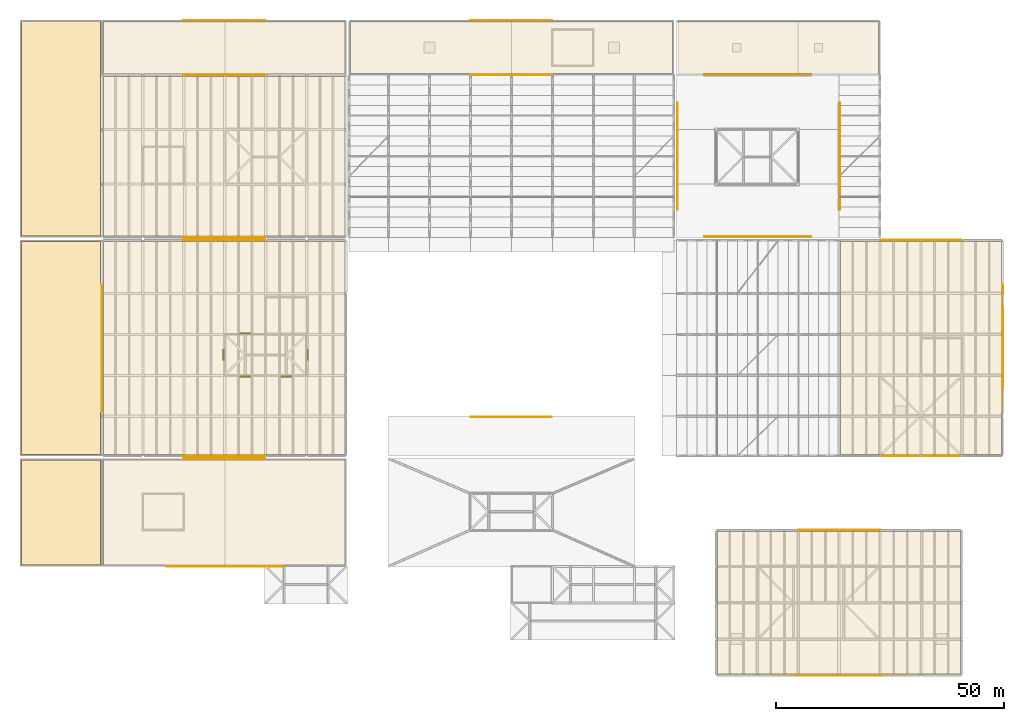
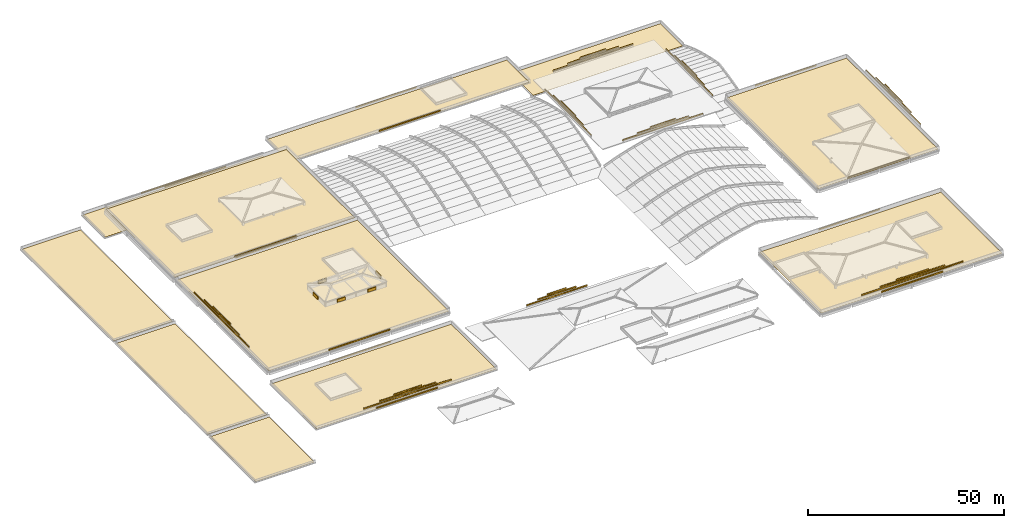
# One storey, part 56 of 56: 51 coverings, 5 shading devices.
"""IFC4 building model written with IfcOpenShell, lengths in metres."""

from ifc_helpers import new_model, si_unit, direction, frame, origin, origin_2d, place, context, subcontext, project, spatial, polyline, rectangle, outline, extrude, material, layer, layer_set, type_object, element, save


model = new_model("IFC4")

# Units and contexts
model_context = context("Model", 3, precision=1e-05, world=origin(), true_north=direction((0.0, 1.0)))
body_context = subcontext(model_context, "Body", "Model", "MODEL_VIEW")
ifc_project = project(units=[si_unit("LENGTHUNIT", "METRE"), si_unit("AREAUNIT", "SQUARE_METRE"), si_unit("VOLUMEUNIT", "CUBIC_METRE"), si_unit("PLANEANGLEUNIT", "RADIAN"), si_unit("MASSUNIT", "GRAM", prefix="KILO")], contexts=[model_context])

# Site, building, storey
site_placement = place(None, origin())
site = spatial("IfcSite", under=ifc_project, at=site_placement, CompositionType="ELEMENT")
building_placement = place(site_placement, origin())
building = spatial("IfcBuilding", under=site, at=building_placement, Name="Zacnel Wholesale Market", CompositionType="ELEMENT")
storey_placement = place(building_placement, frame((0.0, 0.0, 20.300048828125)))
storey = spatial("IfcBuildingStorey", under=building, at=storey_placement, Name="RF", CompositionType="ELEMENT", Elevation=20.300048828125)

# Coverings
ifc_material_1 = material(Name="Honed Yucatan Maya cream limestone", Category="masonry")
ifc_layer_1 = layer(ifc_material_1, 0.090087890625)
ifc_layer_set_1 = layer_set([ifc_layer_1], Name="Honed Yucatan Maya cream limestone")
covering_type_1 = type_object("IfcCoveringType", Name="COV-CLAD-FRET", PredefinedType="CLADDING", material=ifc_layer_set_1)
covering_1_placement = place(storey_placement, frame((108.0, 56.8349609375, -12.990234375), z_axis=(0.0, 0.0, 1.0), x_axis=(1.0, 0.0, 0.0)))
element("IfcCovering", 1, at=covering_1_placement, inside=storey, type_object=covering_type_1, Name="Mayan greca stone relief ENV-V2PORT-1", PredefinedType="CLADDING", context=body_context, shape_type="SweptSolid", body=[
    extrude(rectangle(XDim=17.800048828125, YDim=0.090087890625, at=origin_2d()), origin(), (0.0, 0.0, 1.0), 0.320068359375),
])
covering_2_placement = place(storey_placement, frame((108.0, 56.8349609375, -12.2900390625), z_axis=(0.0, 0.0, 1.0), x_axis=(1.0, 0.0, 0.0)))
element("IfcCovering", 2, at=covering_2_placement, inside=storey, type_object=covering_type_1, Name="Mayan greca stone relief ENV-V2PORT-2", PredefinedType="CLADDING", context=body_context, shape_type="SweptSolid", body=[
    extrude(rectangle(XDim=11.320068359375, YDim=0.090087890625, at=origin_2d()), origin(), (0.0, 0.0, 1.0), 0.320068359375),
])
covering_3_placement = place(storey_placement, frame((108.0, 56.8349609375, -11.740234375), z_axis=(0.0, 0.0, 1.0), x_axis=(1.0, 0.0, 0.0)))
element("IfcCovering", 3, at=covering_3_placement, inside=storey, type_object=covering_type_1, Name="Mayan greca stone relief ENV-V2PORT-3", PredefinedType="CLADDING", context=body_context, shape_type="SweptSolid", body=[
    extrude(rectangle(XDim=5.56005859375, YDim=0.090087890625, at=origin_2d()), origin(), (0.0, 0.0, 1.0), 0.320068359375),
])
covering_4_placement = place(storey_placement, frame((162.14990234375, 96.465087890625, -3.490234375), z_axis=(0.0, 0.0, 1.0), x_axis=(1.0, 0.0, 0.0)))
element("IfcCovering", 4, at=covering_4_placement, inside=storey, type_object=covering_type_1, Name="Mayan greca stone relief ENV-XDRUM-CRN-S-1", PredefinedType="CLADDING", context=body_context, shape_type="SweptSolid", body=[
    extrude(rectangle(XDim=23.5, YDim=0.090087890625, at=origin_2d()), origin(), (0.0, 0.0, 1.0), 0.320068359375),
])
covering_5_placement = place(storey_placement, frame((162.14990234375, 96.465087890625, -2.83984375), z_axis=(0.0, 0.0, 1.0), x_axis=(1.0, 0.0, 0.0)))
element("IfcCovering", 5, at=covering_5_placement, inside=storey, type_object=covering_type_1, Name="Mayan greca stone relief ENV-XDRUM-CRN-S-2", PredefinedType="CLADDING", context=body_context, shape_type="SweptSolid", body=[
    extrude(rectangle(XDim=14.968017578125, YDim=0.090087890625, at=origin_2d()), origin(), (0.0, 0.0, 1.0), 0.320068359375),
])
covering_6_placement = place(storey_placement, frame((162.14990234375, 96.465087890625, -2.2900390625), z_axis=(0.0, 0.0, 1.0), x_axis=(1.0, 0.0, 0.0)))
element("IfcCovering", 6, at=covering_6_placement, inside=storey, type_object=covering_type_1, Name="Mayan greca stone relief ENV-XDRUM-CRN-S-3", PredefinedType="CLADDING", context=body_context, shape_type="SweptSolid", body=[
    extrude(rectangle(XDim=7.384033203125, YDim=0.090087890625, at=origin_2d()), origin(), (0.0, 0.0, 1.0), 0.320068359375),
])
covering_7_placement = place(storey_placement, frame((162.14990234375, 132.1650390625, -3.490234375), z_axis=(0.0, 0.0, 1.0), x_axis=(1.0, 0.0, 0.0)))
element("IfcCovering", 7, at=covering_7_placement, inside=storey, type_object=covering_type_1, Name="Mayan greca stone relief ENV-XDRUM-CRN-N-1", PredefinedType="CLADDING", context=body_context, shape_type="SweptSolid", body=[
    extrude(rectangle(XDim=23.5, YDim=0.090087890625, at=origin_2d()), origin(), (0.0, 0.0, 1.0), 0.320068359375),
])
covering_8_placement = place(storey_placement, frame((162.14990234375, 132.1650390625, -2.83984375), z_axis=(0.0, 0.0, 1.0), x_axis=(1.0, 0.0, 0.0)))
element("IfcCovering", 8, at=covering_8_placement, inside=storey, type_object=covering_type_1, Name="Mayan greca stone relief ENV-XDRUM-CRN-N-2", PredefinedType="CLADDING", context=body_context, shape_type="SweptSolid", body=[
    extrude(rectangle(XDim=14.968017578125, YDim=0.090087890625, at=origin_2d()), origin(), (0.0, 0.0, 1.0), 0.320068359375),
])
covering_9_placement = place(storey_placement, frame((162.14990234375, 132.1650390625, -2.2900390625), z_axis=(0.0, 0.0, 1.0), x_axis=(1.0, 0.0, 0.0)))
element("IfcCovering", 9, at=covering_9_placement, inside=storey, type_object=covering_type_1, Name="Mayan greca stone relief ENV-XDRUM-CRN-N-3", PredefinedType="CLADDING", context=body_context, shape_type="SweptSolid", body=[
    extrude(rectangle(XDim=7.384033203125, YDim=0.090087890625, at=origin_2d()), origin(), (0.0, 0.0, 1.0), 0.320068359375),
])
covering_10_placement = place(storey_placement, frame((144.465087890625, 114.14990234375, -3.490234375), z_axis=(0.0, 0.0, 1.0), x_axis=(0.0, 1.0, 0.0)))
element("IfcCovering", 10, at=covering_10_placement, inside=storey, type_object=covering_type_1, Name="Mayan greca stone relief ENV-XDRUM-CRN-W-1", PredefinedType="CLADDING", context=body_context, shape_type="SweptSolid", body=[
    extrude(rectangle(XDim=23.5, YDim=0.090087890625, at=origin_2d()), origin(), (0.0, 0.0, 1.0), 0.320068359375),
])
covering_11_placement = place(storey_placement, frame((144.465087890625, 114.14990234375, -2.83984375), z_axis=(0.0, 0.0, 1.0), x_axis=(0.0, 1.0, 0.0)))
element("IfcCovering", 11, at=covering_11_placement, inside=storey, type_object=covering_type_1, Name="Mayan greca stone relief ENV-XDRUM-CRN-W-2", PredefinedType="CLADDING", context=body_context, shape_type="SweptSolid", body=[
    extrude(rectangle(XDim=14.968017578125, YDim=0.090087890625, at=origin_2d()), origin(), (0.0, 0.0, 1.0), 0.320068359375),
])
covering_12_placement = place(storey_placement, frame((144.465087890625, 114.14990234375, -2.2900390625), z_axis=(0.0, 0.0, 1.0), x_axis=(0.0, 1.0, 0.0)))
element("IfcCovering", 12, at=covering_12_placement, inside=storey, type_object=covering_type_1, Name="Mayan greca stone relief ENV-XDRUM-CRN-W-3", PredefinedType="CLADDING", context=body_context, shape_type="SweptSolid", body=[
    extrude(rectangle(XDim=7.384033203125, YDim=0.090087890625, at=origin_2d()), origin(), (0.0, 0.0, 1.0), 0.320068359375),
])
covering_13_placement = place(storey_placement, frame((180.1650390625, 114.14990234375, -3.490234375), z_axis=(0.0, 0.0, 1.0), x_axis=(0.0, 1.0, 0.0)))
element("IfcCovering", 13, at=covering_13_placement, inside=storey, type_object=covering_type_1, Name="Mayan greca stone relief ENV-XDRUM-CRN-E-1", PredefinedType="CLADDING", context=body_context, shape_type="SweptSolid", body=[
    extrude(rectangle(XDim=23.5, YDim=0.090087890625, at=origin_2d()), origin(), (0.0, 0.0, 1.0), 0.320068359375),
])
covering_14_placement = place(storey_placement, frame((180.1650390625, 114.14990234375, -2.83984375), z_axis=(0.0, 0.0, 1.0), x_axis=(0.0, 1.0, 0.0)))
element("IfcCovering", 14, at=covering_14_placement, inside=storey, type_object=covering_type_1, Name="Mayan greca stone relief ENV-XDRUM-CRN-E-2", PredefinedType="CLADDING", context=body_context, shape_type="SweptSolid", body=[
    extrude(rectangle(XDim=14.968017578125, YDim=0.090087890625, at=origin_2d()), origin(), (0.0, 0.0, 1.0), 0.320068359375),
])
covering_15_placement = place(storey_placement, frame((180.1650390625, 114.14990234375, -2.2900390625), z_axis=(0.0, 0.0, 1.0), x_axis=(0.0, 1.0, 0.0)))
element("IfcCovering", 15, at=covering_15_placement, inside=storey, type_object=covering_type_1, Name="Mayan greca stone relief ENV-XDRUM-CRN-E-3", PredefinedType="CLADDING", context=body_context, shape_type="SweptSolid", body=[
    extrude(rectangle(XDim=7.384033203125, YDim=0.090087890625, at=origin_2d()), origin(), (0.0, 0.0, 1.0), 0.320068359375),
])
for number, where, z_axis, x_axis, name in (
    (16, (44.85009765625, 144.034912109375, -8.802734375), (0.0, 0.0, 1.0), (1.0, 0.0, 0.0), "Carved Mayan limestone fretwork frieze 004-2"),
    (17, (44.85009765625, 23.965087890625, -2.99755859375), (0.0, 0.0, 1.0), (1.0, 0.0, 0.0), "Carved Mayan limestone fretwork frieze 005-1"),
    (18, (44.85009765625, 47.735107421875, -2.99755859375), (0.0, 0.0, 1.0), (1.0, 0.0, 0.0), "Carved Mayan limestone fretwork frieze 005-2"),
    (19, (44.85009765625, 48.264892578125, 0.40771484375), (0.0, 0.0, 1.0), (1.0, 0.0, 0.0), "Carved Mayan limestone fretwork frieze 006-1"),
    (20, (44.85009765625, 95.735107421875, 0.40771484375), (0.0, 0.0, 1.0), (1.0, 0.0, 0.0), "Carved Mayan limestone fretwork frieze 006-2"),
    (21, (44.85009765625, 96.264892578125, 0.40771484375), (0.0, 0.0, 1.0), (1.0, 0.0, 0.0), "Carved Mayan limestone fretwork frieze 007-1"),
    (22, (44.85009765625, 132.034912109375, 0.40771484375), (0.0, 0.0, 1.0), (1.0, 0.0, 0.0), "Carved Mayan limestone fretwork frieze 007-2"),
    (23, (180.0, -0.034912109375, 0.46240234375), (0.0, 0.0, 1.0), (1.0, 0.0, 0.0), "Carved Mayan limestone fretwork frieze 008-1"),
    (24, (180.0, 32.034912109375, 0.46240234375), (0.0, 0.0, 1.0), (1.0, 0.0, 0.0), "Carved Mayan limestone fretwork frieze 008-2"),
    (25, (108.0, 131.965087890625, -4.19775390625), (0.0, 0.0, 1.0), (1.0, 0.0, 0.0), "Carved Mayan limestone fretwork frieze 009-1"),
    (26, (108.0, 144.034912109375, -4.19775390625), (0.0, 0.0, 1.0), (1.0, 0.0, 0.0), "Carved Mayan limestone fretwork frieze 009-2"),
    (27, (198.0, 48.264892578125, 0.40771484375), (0.0, 0.0, 1.0), (1.0, 0.0, 0.0), "Carved Mayan limestone fretwork frieze 011-1"),
    (28, (198.0, 95.735107421875, 0.40771484375), (0.0, 0.0, 1.0), (1.0, 0.0, 0.0), "Carved Mayan limestone fretwork frieze 011-2"),
):
    element("IfcCovering", number, at=place(storey_placement, frame(where, z_axis=z_axis, x_axis=x_axis)), inside=storey, type_object=covering_type_1, Name=name, PredefinedType="CLADDING", context=body_context, shape_type="SweptSolid", body=[
        extrude(rectangle(XDim=18.0, YDim=0.090087890625, at=origin_2d()), origin(), (0.0, 0.0, 1.0), 0.449951171875),
    ])
covering_16_placement = place(storey_placement, frame((180.0, -0.0400390625, 1.6298828125), z_axis=(0.0, 0.0, 1.0), x_axis=(1.0, 0.0, 0.0)))
element("IfcCovering", 29, at=covering_16_placement, inside=storey, type_object=covering_type_1, Name="Mayan greca stone relief ENV-CRN-V5BLVD-1", PredefinedType="CLADDING", context=body_context, shape_type="SweptSolid", body=[
    extrude(rectangle(XDim=29.800048828125, YDim=0.090087890625, at=origin_2d()), origin(), (0.0, 0.0, 1.0), 0.320068359375),
])
covering_17_placement = place(storey_placement, frame((180.0, -0.0400390625, 2.25), z_axis=(0.0, 0.0, 1.0), x_axis=(1.0, 0.0, 0.0)))
element("IfcCovering", 30, at=covering_17_placement, inside=storey, type_object=covering_type_1, Name="Mayan greca stone relief ENV-CRN-V5BLVD-2", PredefinedType="CLADDING", context=body_context, shape_type="SweptSolid", body=[
    extrude(rectangle(XDim=19.0, YDim=0.090087890625, at=origin_2d()), origin(), (0.0, 0.0, 1.0), 0.320068359375),
])
covering_18_placement = place(storey_placement, frame((180.0, -0.0400390625, 2.75), z_axis=(0.0, 0.0, 1.0), x_axis=(1.0, 0.0, 0.0)))
element("IfcCovering", 31, at=covering_18_placement, inside=storey, type_object=covering_type_1, Name="Mayan greca stone relief ENV-CRN-V5BLVD-3", PredefinedType="CLADDING", context=body_context, shape_type="SweptSolid", body=[
    extrude(rectangle(XDim=9.39990234375, YDim=0.090087890625, at=origin_2d()), origin(), (0.0, 0.0, 1.0), 0.320068359375),
])
covering_19_placement = place(storey_placement, frame((216.0400390625, 72.0, 1.7099609375), z_axis=(0.0, 0.0, 1.0), x_axis=(0.0, 1.0, 0.0)))
element("IfcCovering", 32, at=covering_19_placement, inside=storey, type_object=covering_type_1, Name="Mayan greca stone relief ENV-CRN-V1EEAST-1", PredefinedType="CLADDING", context=body_context, shape_type="SweptSolid", body=[
    extrude(rectangle(XDim=27.800048828125, YDim=0.090087890625, at=origin_2d()), origin(), (0.0, 0.0, 1.0), 0.320068359375),
])
covering_20_placement = place(storey_placement, frame((216.0400390625, 72.0, 2.4599609375), z_axis=(0.0, 0.0, 1.0), x_axis=(0.0, 1.0, 0.0)))
element("IfcCovering", 33, at=covering_20_placement, inside=storey, type_object=covering_type_1, Name="Mayan greca stone relief ENV-CRN-V1EEAST-2", PredefinedType="CLADDING", context=body_context, shape_type="SweptSolid", body=[
    extrude(rectangle(XDim=17.719970703125, YDim=0.090087890625, at=origin_2d()), origin(), (0.0, 0.0, 1.0), 0.320068359375),
])
covering_21_placement = place(storey_placement, frame((216.0400390625, 72.0, 3.06005859375), z_axis=(0.0, 0.0, 1.0), x_axis=(0.0, 1.0, 0.0)))
element("IfcCovering", 34, at=covering_21_placement, inside=storey, type_object=covering_type_1, Name="Mayan greca stone relief ENV-CRN-V1EEAST-3", PredefinedType="CLADDING", context=body_context, shape_type="SweptSolid", body=[
    extrude(rectangle(XDim=8.760009765625, YDim=0.090087890625, at=origin_2d()), origin(), (0.0, 0.0, 1.0), 0.320068359375),
])
covering_22_placement = place(storey_placement, frame((45.0, 23.9599609375, -1.7900390625), z_axis=(0.0, 0.0, 1.0), x_axis=(1.0, 0.0, 0.0)))
element("IfcCovering", 35, at=covering_22_placement, inside=storey, type_object=covering_type_1, Name="Mayan greca stone relief ENV-CRN-V3SOUTH-1", PredefinedType="CLADDING", context=body_context, shape_type="SweptSolid", body=[
    extrude(rectangle(XDim=25.800048828125, YDim=0.090087890625, at=origin_2d()), origin(), (0.0, 0.0, 1.0), 0.320068359375),
])
covering_23_placement = place(storey_placement, frame((45.0, 23.9599609375, -1.08984375), z_axis=(0.0, 0.0, 1.0), x_axis=(1.0, 0.0, 0.0)))
element("IfcCovering", 36, at=covering_23_placement, inside=storey, type_object=covering_type_1, Name="Mayan greca stone relief ENV-CRN-V3SOUTH-2", PredefinedType="CLADDING", context=body_context, shape_type="SweptSolid", body=[
    extrude(rectangle(XDim=16.43994140625, YDim=0.090087890625, at=origin_2d()), origin(), (0.0, 0.0, 1.0), 0.320068359375),
])
covering_24_placement = place(storey_placement, frame((45.0, 23.9599609375, -0.5400390625), z_axis=(0.0, 0.0, 1.0), x_axis=(1.0, 0.0, 0.0)))
element("IfcCovering", 37, at=covering_24_placement, inside=storey, type_object=covering_type_1, Name="Mayan greca stone relief ENV-CRN-V3SOUTH-3", PredefinedType="CLADDING", context=body_context, shape_type="SweptSolid", body=[
    extrude(rectangle(XDim=8.1201171875, YDim=0.090087890625, at=origin_2d()), origin(), (0.0, 0.0, 1.0), 0.320068359375),
])
covering_25_placement = place(storey_placement, frame((17.9599609375, 72.0, 1.7099609375), z_axis=(0.0, 0.0, 1.0), x_axis=(0.0, 1.0, 0.0)))
element("IfcCovering", 38, at=covering_25_placement, inside=storey, type_object=covering_type_1, Name="Mayan greca stone relief ENV-CRN-V3WEST-1", PredefinedType="CLADDING", context=body_context, shape_type="SweptSolid", body=[
    extrude(rectangle(XDim=27.800048828125, YDim=0.090087890625, at=origin_2d()), origin(), (0.0, 0.0, 1.0), 0.320068359375),
])
covering_26_placement = place(storey_placement, frame((17.9599609375, 72.0, 2.4599609375), z_axis=(0.0, 0.0, 1.0), x_axis=(0.0, 1.0, 0.0)))
element("IfcCovering", 39, at=covering_26_placement, inside=storey, type_object=covering_type_1, Name="Mayan greca stone relief ENV-CRN-V3WEST-2", PredefinedType="CLADDING", context=body_context, shape_type="SweptSolid", body=[
    extrude(rectangle(XDim=17.719970703125, YDim=0.090087890625, at=origin_2d()), origin(), (0.0, 0.0, 1.0), 0.320068359375),
])
covering_27_placement = place(storey_placement, frame((17.9599609375, 72.0, 3.06005859375), z_axis=(0.0, 0.0, 1.0), x_axis=(0.0, 1.0, 0.0)))
element("IfcCovering", 40, at=covering_27_placement, inside=storey, type_object=covering_type_1, Name="Mayan greca stone relief ENV-CRN-V3WEST-3", PredefinedType="CLADDING", context=body_context, shape_type="SweptSolid", body=[
    extrude(rectangle(XDim=8.760009765625, YDim=0.090087890625, at=origin_2d()), origin(), (0.0, 0.0, 1.0), 0.320068359375),
])
ifc_material_2 = material(Name="TPO reflective hurricane roof membrane")
ifc_layer_2 = layer(ifc_material_2, 0.044921875)
ifc_layer_set_2 = layer_set([ifc_layer_2], Name="TPO reflective hurricane roof membrane")
covering_type_2 = type_object("IfcCoveringType", Name="COV-ROOF-MEMB", PredefinedType="ROOFING", material=ifc_layer_set_2)
covering_28_placement = place(storey_placement, frame((0.0, 0.0, -13.5)))
element("IfcCovering", 41, at=covering_28_placement, inside=storey, type_object=covering_type_2, Name="Reflective TPO hurricane roofing 001", PredefinedType="ROOFING", context=body_context, shape_type="SweptSolid", body=[
    extrude(outline(polyline([(0.300048828125, 24.300048828125), (17.699951171875, 24.300048828125), (17.699951171875, 47.39990234375), (0.300048828125, 47.39990234375), (0.300048828125, 24.300048828125)])), origin(), (0.0, 0.0, 1.0), 0.044921875),
])
covering_29_placement = place(storey_placement, frame((0.0, 0.0, -13.5)))
element("IfcCovering", 42, at=covering_29_placement, inside=storey, type_object=covering_type_2, Name="Reflective TPO hurricane roofing 002", PredefinedType="ROOFING", context=body_context, shape_type="SweptSolid", body=[
    extrude(outline(polyline([(0.300048828125, 48.60009765625), (17.699951171875, 48.60009765625), (17.699951171875, 95.39990234375), (0.300048828125, 95.39990234375), (0.300048828125, 48.60009765625)])), origin(), (0.0, 0.0, 1.0), 0.044921875),
])
covering_30_placement = place(storey_placement, frame((0.0, 0.0, -13.5)))
element("IfcCovering", 43, at=covering_30_placement, inside=storey, type_object=covering_type_2, Name="Reflective TPO hurricane roofing 003", PredefinedType="ROOFING", context=body_context, shape_type="SweptSolid", body=[
    extrude(outline(polyline([(0.300048828125, 96.60009765625), (17.699951171875, 96.60009765625), (17.699951171875, 143.699951171875), (0.300048828125, 143.699951171875), (0.300048828125, 96.60009765625)])), origin(), (0.0, 0.0, 1.0), 0.044921875),
])
covering_31_placement = place(storey_placement, frame((0.0, 0.0, -9.10009765625)))
element("IfcCovering", 44, at=covering_31_placement, inside=storey, type_object=covering_type_2, Name="Reflective TPO hurricane roofing 004", PredefinedType="ROOFING", context=body_context, shape_type="SweptSolid", body=[
    extrude(outline(polyline([(18.300048828125, 132.300048828125), (71.39990234375, 132.300048828125), (71.39990234375, 143.699951171875), (18.300048828125, 143.699951171875), (18.300048828125, 132.300048828125)])), origin(), (0.0, 0.0, 1.0), 0.045166015625),
])
covering_32_placement = place(storey_placement, frame((0.0, 0.0, -3.35009765625)))
element("IfcCovering", 45, at=covering_32_placement, inside=storey, type_object=covering_type_2, Name="Reflective TPO hurricane roofing 005", PredefinedType="ROOFING", context=body_context, shape_type="SweptSolid", body=[
    extrude(outline(polyline([(18.300048828125, 24.300048828125), (71.39990234375, 24.300048828125), (71.39990234375, 47.39990234375), (18.300048828125, 47.39990234375), (18.300048828125, 24.300048828125)])), origin(), (0.0, 0.0, 1.0), 0.045166015625),
])
covering_33_placement = place(storey_placement, origin())
element("IfcCovering", 46, at=covering_33_placement, inside=storey, type_object=covering_type_2, Name="Reflective TPO hurricane roofing 006", PredefinedType="ROOFING", context=body_context, shape_type="SweptSolid", body=[
    extrude(outline(polyline([(18.300048828125, 48.60009765625), (71.39990234375, 48.60009765625), (71.39990234375, 95.39990234375), (18.300048828125, 95.39990234375), (18.300048828125, 48.60009765625)])), origin(), (0.0, 0.0, 1.0), 0.044921875),
])
covering_34_placement = place(storey_placement, origin())
element("IfcCovering", 47, at=covering_34_placement, inside=storey, type_object=covering_type_2, Name="Reflective TPO hurricane roofing 007", PredefinedType="ROOFING", context=body_context, shape_type="SweptSolid", body=[
    extrude(outline(polyline([(18.300048828125, 96.60009765625), (71.39990234375, 96.60009765625), (71.39990234375, 131.699951171875), (18.300048828125, 131.699951171875), (18.300048828125, 96.60009765625)])), origin(), (0.0, 0.0, 1.0), 0.044921875),
])
covering_35_placement = place(storey_placement, origin())
element("IfcCovering", 48, at=covering_35_placement, inside=storey, type_object=covering_type_2, Name="Reflective TPO hurricane roofing 008", PredefinedType="ROOFING", context=body_context, shape_type="SweptSolid", body=[
    extrude(outline(polyline([(153.300048828125, 0.300048828125), (206.699951171875, 0.300048828125), (206.699951171875, 31.699951171875), (153.300048828125, 31.699951171875), (153.300048828125, 0.300048828125)])), origin(), (0.0, 0.0, 1.0), 0.044921875),
])
covering_36_placement = place(storey_placement, frame((0.0, 0.0, -4.550048828125)))
element("IfcCovering", 49, at=covering_36_placement, inside=storey, type_object=covering_type_2, Name="Reflective TPO hurricane roofing 009", PredefinedType="ROOFING", context=body_context, shape_type="SweptSolid", body=[
    extrude(outline(polyline([(72.60009765625, 132.300048828125), (143.39990234375, 132.300048828125), (143.39990234375, 143.699951171875), (72.60009765625, 143.699951171875), (72.60009765625, 132.300048828125)])), origin(), (0.0, 0.0, 1.0), 0.044921875),
])
covering_37_placement = place(storey_placement, frame((0.0, 0.0, -9.10009765625)))
element("IfcCovering", 50, at=covering_37_placement, inside=storey, type_object=covering_type_2, Name="Reflective TPO hurricane roofing 010", PredefinedType="ROOFING", context=body_context, shape_type="SweptSolid", body=[
    extrude(outline(polyline([(144.60009765625, 132.300048828125), (188.699951171875, 132.300048828125), (188.699951171875, 143.699951171875), (144.60009765625, 143.699951171875), (144.60009765625, 132.300048828125)])), origin(), (0.0, 0.0, 1.0), 0.045166015625),
])
covering_38_placement = place(storey_placement, origin())
element("IfcCovering", 51, at=covering_38_placement, inside=storey, type_object=covering_type_2, Name="Reflective TPO hurricane roofing 011", PredefinedType="ROOFING", context=body_context, shape_type="SweptSolid", body=[
    extrude(outline(polyline([(180.300048828125, 48.60009765625), (215.699951171875, 48.60009765625), (215.699951171875, 95.39990234375), (180.300048828125, 95.39990234375), (180.300048828125, 48.60009765625)])), origin(), (0.0, 0.0, 1.0), 0.044921875),
])

# Shading devices
ifc_material_3 = material(Name="Anodised aluminium", Category="aluminium")
shading_device_type = type_object("IfcShadingDeviceType", Name="SHD-LOUV-H250", PredefinedType="JALOUSIE", material=ifc_material_3)
for number, where, z_axis, x_axis, name in (
    (52, (49.5, 65.72998046875, 0.5), (0.0, 0.0, 1.0), (1.0, 0.0, 0.0), "Penthouse storm jalousie S1"),
    (53, (58.5, 65.72998046875, 0.5), (0.0, 0.0, 1.0), (1.0, 0.0, 0.0), "Penthouse storm jalousie S2"),
    (54, (49.5, 75.27001953125, 0.5), (0.0, 0.0, 1.0), (1.0, 0.0, 0.0), "Penthouse storm jalousie N1"),
    (55, (44.72998046875, 70.5, 0.5), (0.0, 0.0, 1.0), (0.0, 1.0, 0.0), "Penthouse storm jalousie W1"),
    (56, (63.27001953125, 70.5, 0.5), (0.0, 0.0, 1.0), (0.0, 1.0, 0.0), "Penthouse storm jalousie E1"),
):
    element("IfcShadingDevice", number, at=place(storey_placement, frame(where, z_axis=z_axis, x_axis=x_axis)), inside=storey, type_object=shading_device_type, Name=name, PredefinedType="JALOUSIE", context=body_context, shape_type="SweptSolid", body=[
        extrude(rectangle(XDim=2.39990234375, YDim=0.25, at=origin_2d()), origin(), (0.0, 0.0, 1.0), 0.89990234375),
    ])

save(model, "model.ifc")
